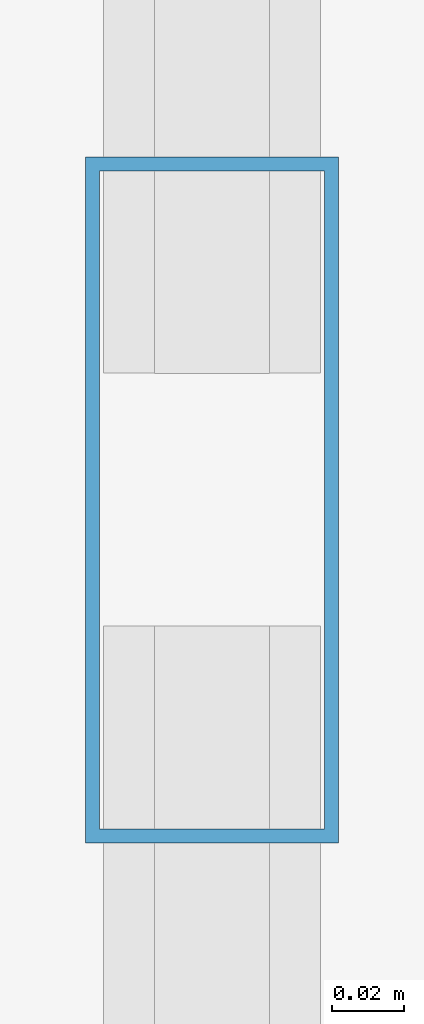
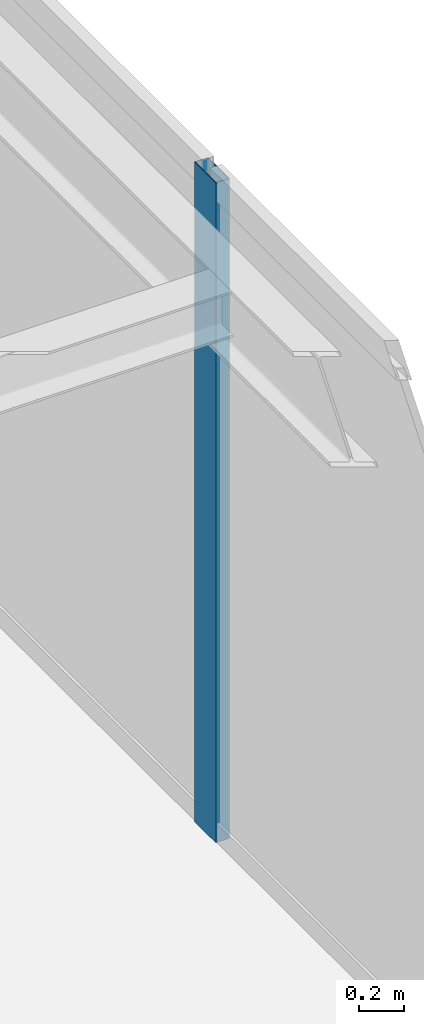
# One storey, part 20 of 37: 1 member, 1 element without a shape of its own.
"""IFC4 building model written with IfcOpenShell, lengths in metres."""

from ifc_helpers import new_model, si_unit, direction, frame, origin, origin_2d, place, context, subcontext, project, spatial, hollow_rectangle, extrude, source, transform, mapped, material, layer, layer_set, material_profile, profile_set, type_object, type_shapes, element, aggregate, save


model = new_model("IFC4")

# Units and contexts
model_context = context("Model", 3, precision=1e-05, world=origin(), true_north=direction((0.0, 1.0)))
body_context = subcontext(model_context, "Body", "Model", "MODEL_VIEW")
ifc_project = project(units=[si_unit("LENGTHUNIT", "METRE"), si_unit("AREAUNIT", "SQUARE_METRE"), si_unit("VOLUMEUNIT", "CUBIC_METRE"), si_unit("PLANEANGLEUNIT", "RADIAN"), si_unit("MASSUNIT", "GRAM", prefix="KILO")], contexts=[model_context])

# Site, building, storey
site_placement = place(None, origin())
site = spatial("IfcSite", under=ifc_project, at=site_placement, CompositionType="ELEMENT")
building_placement = place(site_placement, origin())
building = spatial("IfcBuilding", under=site, at=building_placement, Name="Varnel Quay Broadcast Tower", CompositionType="ELEMENT")
storey_placement = place(building_placement, frame((0.0, 0.0, 106.800048828125)))
storey = spatial("IfcBuildingStorey", under=building, at=storey_placement, Name="L25", CompositionType="ELEMENT", Elevation=106.800048828125)

# Curtain wall, member
ifc_material = material(Name="Anodised Bronze Aluminium 6063-T6", Category="aluminium")
ifc_layer = layer(ifc_material, 0.18994140625, Name="Anodised Bronze Aluminium 6063-T6")
ifc_layer_set = layer_set([ifc_layer], Name="Anodised Bronze Aluminium 6063-T6")
curtain_wall_type = type_object("IfcCurtainWallType", Name="CW_LowerTower", PredefinedType="NOTDEFINED", material=ifc_layer_set)
curtain_wall_placement = place(storey_placement, origin())
curtain_wall = element("IfcCurtainWall", 1, at=curtain_wall_placement, inside=storey, type_object=curtain_wall_type, Name="L25 East Unitised Curtain Wall", PredefinedType="NOTDEFINED")
ifc_material_profile = material_profile(ifc_material, hollow_rectangle(XDim=0.070068359375, YDim=0.18994140625, WallThickness=0.00390625, at=origin_2d()), Name="ALU70X190X4")
ifc_profile_set = profile_set([ifc_material_profile], Name="Anodised Bronze Aluminium 6063-T6")
member_type = type_object("IfcMemberType", Name="Mull_CWS-02", PredefinedType="MULLION", material=ifc_profile_set)
shared_shape = source(origin(), body_context, "Body", "SweptSolid", [
    extrude(hollow_rectangle(XDim=0.070068359375, YDim=0.18994140625, WallThickness=0.00390625, at=origin_2d()), origin(), (0.0, 0.0, 1.0), 3.550048828125),
])
type_shapes(member_type, [shared_shape])
member_placement = place(storey_placement, frame((63.35009765625, 31.39990234375, 0.0), z_axis=(0.0, 0.0, 1.0), x_axis=(-1.0, 0.0, 0.0)))
member = element("IfcMember", 2, at=member_placement, type_object=member_type, Name="CWS-02 mullion 3", PredefinedType="MULLION", context=body_context, shape_type="MappedRepresentation", body=[
    mapped(shared_shape, transform((0.0, 0.0, 0.0), x_axis=(1.0, 0.0, 0.0), y_axis=(0.0, 1.0, 0.0), z_axis=(0.0, 0.0, 1.0), scale=1.0)),
])
aggregate(curtain_wall, [member])

save(model, "model.ifc")
